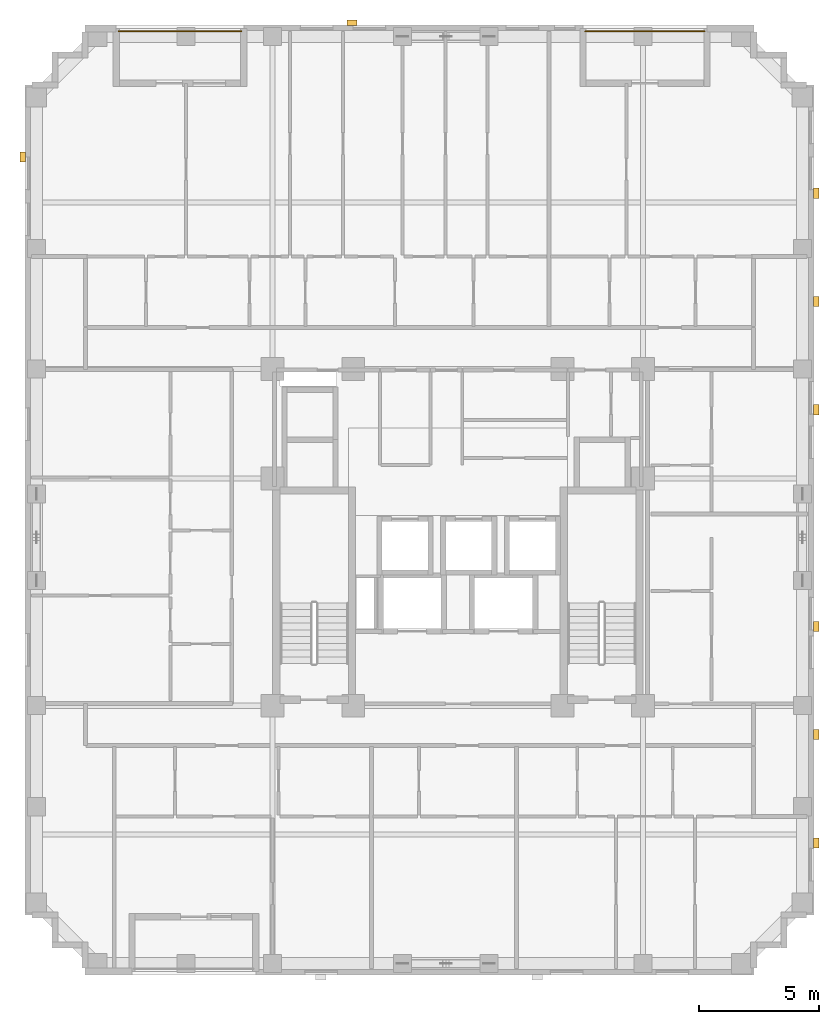
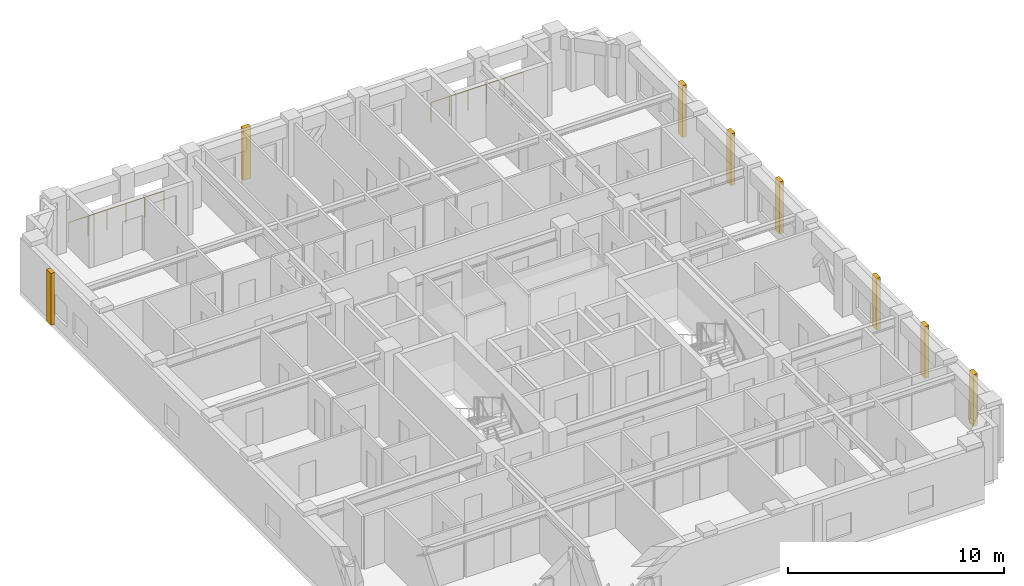
# One storey, part 11 of 11: 8 coverings, 2 railings.
"""IFC4 building model written with IfcOpenShell, lengths in metres."""

from ifc_helpers import new_model, si_unit, derived_unit, direction, frame, origin, origin_2d, place, context, subcontext, project, spatial, rectangle, circle, extrude, material, layer, layer_set, type_object, element, save


model = new_model("IFC4")

# Units and contexts
model_context = context("Model", 3, precision=1e-05, world=origin(), true_north=direction((0.0, 1.0)))
body_context = subcontext(model_context, "Body", "Model", "MODEL_VIEW")
ifc_project = project(units=[si_unit("LENGTHUNIT", "METRE"), si_unit("AREAUNIT", "SQUARE_METRE"), si_unit("VOLUMEUNIT", "CUBIC_METRE"), si_unit("PLANEANGLEUNIT", "RADIAN"), si_unit("MASSUNIT", "GRAM", prefix="KILO"), derived_unit("THERMALTRANSMITTANCEUNIT", [(si_unit("MASSUNIT", "GRAM", prefix="KILO"), 1), (si_unit("TIMEUNIT", "SECOND"), -3), (si_unit("THERMODYNAMICTEMPERATUREUNIT", "KELVIN"), -1)])], contexts=[model_context])

# Site, building, storey
site_placement = place(None, origin())
site = spatial("IfcSite", under=ifc_project, at=site_placement, CompositionType="ELEMENT")
building_placement = place(site_placement, origin())
building = spatial("IfcBuilding", under=site, at=building_placement, Name="Korrvale Station Residences", CompositionType="ELEMENT")
storey_placement = place(building_placement, frame((0.0, 0.0, 134.14990234375)))
storey = spatial("IfcBuildingStorey", under=building, at=storey_placement, Name="L38", CompositionType="ELEMENT", Elevation=134.14990234375)

# Coverings
ifc_material_1 = material(Name="Architectural precast concrete C45/55", Category="concrete")
ifc_layer = layer(ifc_material_1, 0.219970703125, Name="Architectural precast concrete C45/55")
ifc_layer_set = layer_set([ifc_layer], Name="Architectural precast concrete C45/55")
covering_type = type_object("IfcCoveringType", Name="COV-PIER-400", PredefinedType="CLADDING", material=ifc_layer_set)
for number, where, z_axis, x_axis, name in (
    (1, (21.10009765625, 43.389892578125, 0.025146484375), (0.0, 0.0, 1.0), (1.0, 0.0, 0.0), "L38 Architectural Precast Facade Pier 03"),
    (2, (7.409912109375, 37.800048828125, 0.025146484375), (0.0, 0.0, 1.0), (0.0, 1.0, 0.0), "L38 Architectural Precast Facade Pier 04"),
    (3, (40.389892578125, 36.300048828125, 0.025146484375), (0.0, 0.0, 1.0), (0.0, 1.0, 0.0), "L38 Architectural Precast Facade Pier 05"),
    (4, (40.389892578125, 31.800048828125, 0.025146484375), (0.0, 0.0, 1.0), (0.0, 1.0, 0.0), "L38 Architectural Precast Facade Pier 06"),
    (5, (40.389892578125, 27.300048828125, 0.025146484375), (0.0, 0.0, 1.0), (0.0, 1.0, 0.0), "L38 Architectural Precast Facade Pier 07"),
    (6, (40.389892578125, 18.300048828125, 0.025146484375), (0.0, 0.0, 1.0), (0.0, 1.0, 0.0), "L38 Architectural Precast Facade Pier 08"),
    (7, (40.389892578125, 13.800048828125, 0.025146484375), (0.0, 0.0, 1.0), (0.0, 1.0, 0.0), "L38 Architectural Precast Facade Pier 09"),
    (8, (40.389892578125, 9.300048828125, 0.025146484375), (0.0, 0.0, 1.0), (0.0, 1.0, 0.0), "L38 Architectural Precast Facade Pier 10"),
):
    element("IfcCovering", number, at=place(storey_placement, frame(where, z_axis=z_axis, x_axis=x_axis)), inside=storey, type_object=covering_type, Name=name, PredefinedType="CLADDING", context=body_context, shape_type="SweptSolid", body=[
        extrude(rectangle(XDim=0.419921875, YDim=0.219970703125, at=origin_2d()), origin(), (0.0, 0.0, 1.0), 2.93994140625),
    ])

# Railings
ifc_material_2 = material(Name="Powder-coated aluminium picket loggia guard", Category="aluminium")
railing_type = type_object("IfcRailingType", Name="RLG-BAL-1150", PredefinedType="GUARDRAIL", material=ifc_material_2)
railing_1_placement = place(storey_placement, frame((11.39990234375, 43.030029296875, 0.0)))
element("IfcRailing", 9, at=railing_1_placement, inside=storey, type_object=railing_type, Name="L38 Recessed Loggia Guardrail BAL-L38-N2", PredefinedType="GUARDRAIL", context=body_context, shape_type="SweptSolid", body=[
    extrude(circle(Radius=0.02392578125, at=origin_2d()), frame((0.0, 0.0, 1.1259765625), z_axis=(1.0, 0.0, 0.0), x_axis=(0.0, 1.0, 0.0)), (0.0, 0.0, 1.0), 5.10009765625),
    extrude(circle(Radius=0.02099609375, at=origin_2d()), origin(), (0.0, 0.0, 1.0), 1.101806640625),
    extrude(circle(Radius=0.02099609375, at=origin_2d()), frame((1.02001953125, 0.0, 0.0)), (0.0, 0.0, 1.0), 1.101806640625),
    extrude(circle(Radius=0.02099609375, at=origin_2d()), frame((2.0400390625, 0.0, 0.0)), (0.0, 0.0, 1.0), 1.101806640625),
    extrude(circle(Radius=0.02099609375, at=origin_2d()), frame((3.06005859375, 0.0, 0.0)), (0.0, 0.0, 1.0), 1.101806640625),
    extrude(circle(Radius=0.02099609375, at=origin_2d()), frame((4.080078125, 0.0, 0.0)), (0.0, 0.0, 1.0), 1.101806640625),
    extrude(circle(Radius=0.02099609375, at=origin_2d()), frame((5.10009765625, 0.0, 0.0)), (0.0, 0.0, 1.0), 1.101806640625),
])
railing_2_placement = place(storey_placement, frame((30.800048828125, 43.030029296875, 0.0)))
element("IfcRailing", 10, at=railing_2_placement, inside=storey, type_object=railing_type, Name="L38 Recessed Loggia Guardrail BAL-L38-N1", PredefinedType="GUARDRAIL", context=body_context, shape_type="SweptSolid", body=[
    extrude(circle(Radius=0.02392578125, at=origin_2d()), frame((0.0, 0.0, 1.1259765625), z_axis=(1.0, 0.0, 0.0), x_axis=(0.0, 1.0, 0.0)), (0.0, 0.0, 1.0), 4.949951171875),
    extrude(circle(Radius=0.02099609375, at=origin_2d()), origin(), (0.0, 0.0, 1.0), 1.101806640625),
    extrude(circle(Radius=0.02099609375, at=origin_2d()), frame((0.989990234375, 0.0, 0.0)), (0.0, 0.0, 1.0), 1.101806640625),
    extrude(circle(Radius=0.02099609375, at=origin_2d()), frame((1.97998046875, 0.0, 0.0)), (0.0, 0.0, 1.0), 1.101806640625),
    extrude(circle(Radius=0.02099609375, at=origin_2d()), frame((2.969970703125, 0.0, 0.0)), (0.0, 0.0, 1.0), 1.101806640625),
    extrude(circle(Radius=0.02099609375, at=origin_2d()), frame((3.9599609375, 0.0, 0.0)), (0.0, 0.0, 1.0), 1.101806640625),
    extrude(circle(Radius=0.02099609375, at=origin_2d()), frame((4.949951171875, 0.0, 0.0)), (0.0, 0.0, 1.0), 1.101806640625),
])

save(model, "model.ifc")
